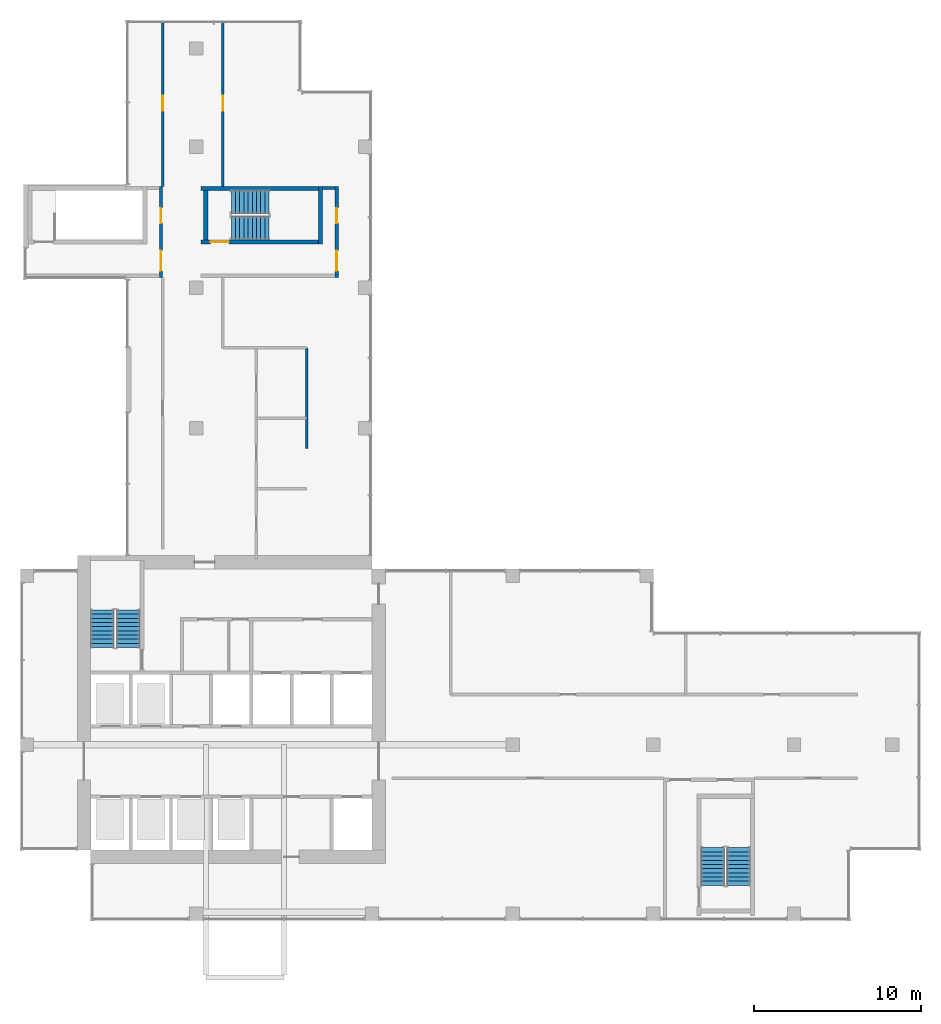
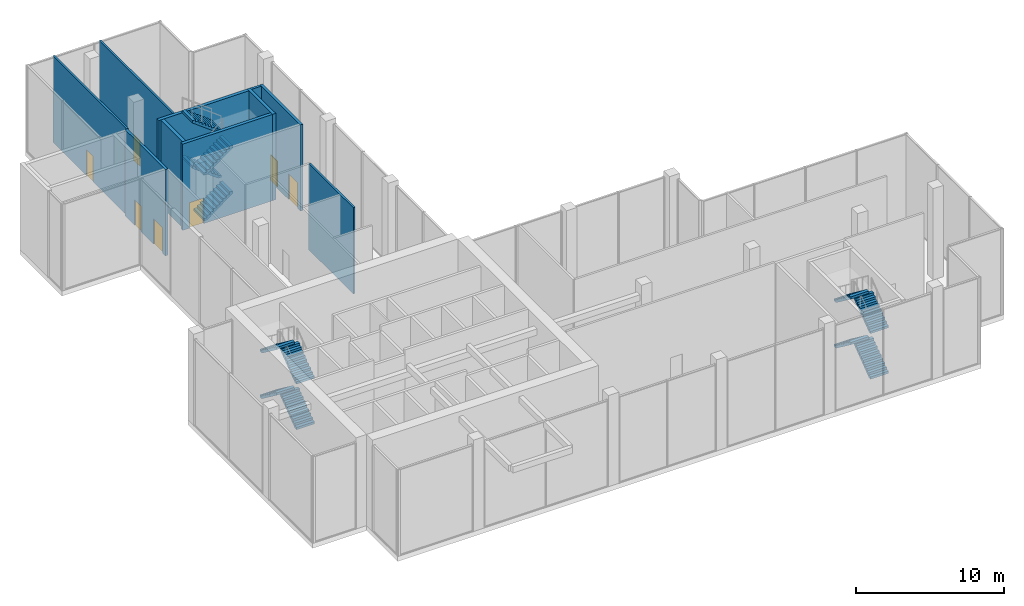
# One storey, part 9 of 13: 12 stair flights, 10 walls, 7 doors, 7 openings, 3 elements without a shape of their own.
"""IFC4 building model written with IfcOpenShell, lengths in metres."""

from ifc_helpers import new_model, si_unit, direction, frame, frame_2d, origin, place, context, subcontext, project, spatial, polyline, rectangle, outline, extrude, source, transform, mapped, material, layer, layer_set, type_object, element, fill, aggregate, save


model = new_model("IFC4")

# Units and contexts
model_context = context("Model", 3, precision=1e-05, world=origin(), true_north=direction((0.0, 1.0)))
body_context = subcontext(model_context, "Body", "Model", "MODEL_VIEW")
ifc_project = project(units=[si_unit("LENGTHUNIT", "METRE"), si_unit("AREAUNIT", "SQUARE_METRE"), si_unit("VOLUMEUNIT", "CUBIC_METRE"), si_unit("PLANEANGLEUNIT", "RADIAN"), si_unit("MASSUNIT", "GRAM", prefix="KILO")], contexts=[model_context])

# Site, building, storey
site_placement = place(None, origin())
site = spatial("IfcSite", under=ifc_project, at=site_placement, CompositionType="ELEMENT")
building_placement = place(site_placement, origin())
building = spatial("IfcBuilding", under=site, at=building_placement, Name="Aurelian Terraces", CompositionType="ELEMENT")
storey_placement = place(building_placement, frame((0.0, 0.0, 277.0)))
storey = spatial("IfcBuildingStorey", under=building, at=storey_placement, Name="L63", CompositionType="ELEMENT", Elevation=277.0)

# Wall, opening, door
ifc_material_1 = material(Name="Concrete fc' 40 MPa", Category="concrete")
ifc_layer_1 = layer(ifc_material_1, 0.25)
ifc_layer_set_1 = layer_set([ifc_layer_1], Name="Stair enclosure wall 250")
wall_type_1 = type_object("IfcWallType", Name="Stair enclosure wall 250", PredefinedType="SOLIDWALL", material=ifc_layer_set_1)
shared_shape_1 = source(origin(), body_context, "Body", "SweptSolid", [
    extrude(rectangle(XDim=7.0, YDim=0.25, at=frame_2d((3.5, 0.0))), origin(), (0.0, 0.0, 1.0), 7.1),
])
wall_1_placement = place(storey_placement, frame((10.8, 40.525, 0.0), z_axis=(0.0, 0.0, 1.0), x_axis=(1.0, 0.0, 0.0)))
wall_1 = element("IfcWall", 1, at=wall_1_placement, inside=storey, type_object=wall_type_1, Name="L63 core wall ST-S3U-W", PredefinedType="SOLIDWALL", context=body_context, shape_type="MappedRepresentation", body=[
    mapped(shared_shape_1, transform((0.0, 0.0, 0.0), scale=1.0)),
])
shared_shape_2 = source(origin(), body_context, "Body", "SweptSolid", [
    extrude(rectangle(XDim=1.1, YDim=2.1, at=frame_2d((0.55, 1.05))), frame((0.0, 0.135, 0.0), z_axis=(0.0, -1.0, 0.0), x_axis=(1.0, 0.0, 0.0)), (0.0, 0.0, 1.0), 0.27),
])
opening_1_placement = place(wall_1_placement, frame((0.55, 0.0, 0.0)))
opening_1 = element("IfcOpeningElement", 2, at=opening_1_placement, cuts=wall_1, Name="Opening 66623", PredefinedType="OPENING", context=body_context, shape_type="MappedRepresentation", body=[
    mapped(shared_shape_2, transform((0.0, 0.0, 0.0), scale=1.0)),
])
ifc_material_2 = material(Name="Steel door leaf", Category="steel")
door_type_1 = type_object("IfcDoorType", Name="Core fire door 1100x2100 right", OperationType="SINGLE_SWING_RIGHT", PredefinedType="DOOR", material=ifc_material_2)
shared_shape_3 = source(origin(), body_context, "Body", "SweptSolid", [
    extrude(rectangle(XDim=1.1, YDim=2.1, at=frame_2d((0.55, 1.05))), frame((0.0, 0.025, 0.0), z_axis=(0.0, -1.0, 0.0), x_axis=(1.0, 0.0, 0.0)), (0.0, 0.0, 1.0), 0.05),
])
door_1_placement = place(opening_1_placement, origin())
door_1 = element("IfcDoor", 3, at=door_1_placement, inside=storey, type_object=door_type_1, Name="Stair door 66623", OperationType="SINGLE_SWING_RIGHT", OverallHeight=2.1, OverallWidth=1.1, PredefinedType="DOOR", context=body_context, shape_type="MappedRepresentation", body=[
    mapped(shared_shape_3, transform((0.0, 0.0, 0.0), scale=1.0)),
])
fill(opening_1, door_1)

# Walls
wall_2_placement = place(storey_placement, frame((10.8, 43.725, 0.0), z_axis=(0.0, 0.0, 1.0), x_axis=(1.0, 0.0, 0.0)))
element("IfcWall", 4, at=wall_2_placement, inside=storey, type_object=wall_type_1, Name="L63 core wall ST-S3U-E", PredefinedType="SOLIDWALL", context=body_context, shape_type="MappedRepresentation", body=[
    mapped(shared_shape_1, transform((0.0, 0.0, 0.0), scale=1.0)),
])
shared_shape_4 = source(origin(), body_context, "Body", "SweptSolid", [
    extrude(rectangle(XDim=3.45, YDim=0.25, at=frame_2d((1.725, 0.0))), origin(), (0.0, 0.0, 1.0), 7.1),
])
wall_3_placement = place(storey_placement, frame((17.925, 40.4, 0.0), z_axis=(0.0, 0.0, 1.0), x_axis=(0.0, 1.0, 0.0)))
element("IfcWall", 5, at=wall_3_placement, inside=storey, type_object=wall_type_1, Name="L63 core wall ST-S3U-N", PredefinedType="SOLIDWALL", context=body_context, shape_type="MappedRepresentation", body=[
    mapped(shared_shape_4, transform((0.0, 0.0, 0.0), scale=1.0)),
])
shared_shape_5 = source(origin(), body_context, "Body", "SweptSolid", [
    extrude(rectangle(XDim=2.95, YDim=0.25, at=frame_2d((1.475, 0.0))), origin(), (0.0, 0.0, 1.0), 7.1),
])
wall_4_placement = place(storey_placement, frame((11.075, 40.65, 0.0), z_axis=(0.0, 0.0, 1.0), x_axis=(0.0, 1.0, 0.0)))
element("IfcWall", 6, at=wall_4_placement, inside=storey, type_object=wall_type_1, Name="L63 core wall ST-S3U-SS", PredefinedType="SOLIDWALL", context=body_context, shape_type="MappedRepresentation", body=[
    mapped(shared_shape_5, transform((0.0, 0.0, 0.0), scale=1.0)),
])

# Wall, openings, doors
ifc_material_3 = material(Name="Gypsum board on steel studs", Category="steel")
ifc_layer_2 = layer(ifc_material_3, 0.2)
ifc_layer_set_2 = layer_set([ifc_layer_2], Name="Core partition 200")
wall_type_2 = type_object("IfcWallType", Name="Core partition 200", PredefinedType="PARTITIONING", material=ifc_layer_set_2)
shared_shape_6 = source(origin(), body_context, "Body", "SweptSolid", [
    extrude(rectangle(XDim=5.45, YDim=0.2, at=frame_2d((2.725, 0.0))), origin(), (0.0, 0.0, 1.0), 7.1),
])
wall_5_placement = place(storey_placement, frame((8.4, 38.4, 0.0), z_axis=(0.0, 0.0, 1.0), x_axis=(0.0, 1.0, 0.0)))
wall_5 = element("IfcWall", 7, at=wall_5_placement, inside=storey, type_object=wall_type_2, Name="L63 core wall ST-S3-BN", PredefinedType="PARTITIONING", context=body_context, shape_type="MappedRepresentation", body=[
    mapped(shared_shape_6, transform((0.0, 0.0, 0.0), scale=1.0)),
])
shared_shape_7 = source(origin(), body_context, "Body", "SweptSolid", [
    extrude(rectangle(XDim=1.2, YDim=2.1, at=frame_2d((0.6, 1.05))), frame((0.0, 0.11, 0.0), z_axis=(0.0, -1.0, 0.0), x_axis=(1.0, 0.0, 0.0)), (0.0, 0.0, 1.0), 0.22),
])
opening_2_placement = place(wall_5_placement, frame((0.4, 0.0, 0.0)))
opening_2 = element("IfcOpeningElement", 8, at=opening_2_placement, cuts=wall_5, Name="Opening 66621", PredefinedType="OPENING", context=body_context, shape_type="MappedRepresentation", body=[
    mapped(shared_shape_7, transform((0.0, 0.0, 0.0), scale=1.0)),
])
shared_shape_8 = source(origin(), body_context, "Body", "SweptSolid", [
    extrude(rectangle(XDim=0.9, YDim=2.1, at=frame_2d((0.45, 1.05))), frame((0.0, 0.11, 0.0), z_axis=(0.0, -1.0, 0.0), x_axis=(1.0, 0.0, 0.0)), (0.0, 0.0, 1.0), 0.22),
])
opening_3_placement = place(wall_5_placement, frame((3.25, 0.0, 0.0)))
opening_3 = element("IfcOpeningElement", 9, at=opening_3_placement, cuts=wall_5, Name="Opening 66622", PredefinedType="OPENING", context=body_context, shape_type="MappedRepresentation", body=[
    mapped(shared_shape_8, transform((0.0, 0.0, 0.0), scale=1.0)),
])
door_type_2 = type_object("IfcDoorType", Name="Core riser door 900x2100", OperationType="SINGLE_SWING_LEFT", PredefinedType="DOOR", material=ifc_material_2)
shared_shape_9 = source(origin(), body_context, "Body", "SweptSolid", [
    extrude(rectangle(XDim=0.9, YDim=2.1, at=frame_2d((0.45, 1.05))), frame((0.0, 0.025, 0.0), z_axis=(0.0, -1.0, 0.0), x_axis=(1.0, 0.0, 0.0)), (0.0, 0.0, 1.0), 0.05),
])
door_2_placement = place(opening_3_placement, origin())
door_2 = element("IfcDoor", 10, at=door_2_placement, inside=storey, type_object=door_type_2, Name="Riser door 66622", OperationType="SINGLE_SWING_LEFT", OverallHeight=2.1, OverallWidth=0.9, PredefinedType="DOOR", context=body_context, shape_type="MappedRepresentation", body=[
    mapped(shared_shape_9, transform((0.0, 0.0, 0.0), scale=1.0)),
])
fill(opening_3, door_2)
door_type_3 = type_object("IfcDoorType", Name="Core fire door 1200x2100 right", OperationType="SINGLE_SWING_RIGHT", PredefinedType="DOOR", material=ifc_material_2)
shared_shape_10 = source(origin(), body_context, "Body", "SweptSolid", [
    extrude(rectangle(XDim=1.2, YDim=2.1, at=frame_2d((0.6, 1.05))), frame((0.0, 0.025, 0.0), z_axis=(0.0, -1.0, 0.0), x_axis=(1.0, 0.0, 0.0)), (0.0, 0.0, 1.0), 0.05),
])
door_3_placement = place(opening_2_placement, origin())
door_3 = element("IfcDoor", 11, at=door_3_placement, inside=storey, type_object=door_type_3, Name="Vestibule door 66621", OperationType="SINGLE_SWING_RIGHT", OverallHeight=2.1, OverallWidth=1.2, PredefinedType="DOOR", context=body_context, shape_type="MappedRepresentation", body=[
    mapped(shared_shape_10, transform((0.0, 0.0, 0.0), scale=1.0)),
])
fill(opening_2, door_3)

wall_6_placement = place(storey_placement, frame((18.9, 38.4, 0.0), z_axis=(0.0, 0.0, 1.0), x_axis=(0.0, 1.0, 0.0)))
wall_6 = element("IfcWall", 12, at=wall_6_placement, inside=storey, type_object=wall_type_2, Name="L63 core wall ST-S3U-BN", PredefinedType="PARTITIONING", context=body_context, shape_type="MappedRepresentation", body=[
    mapped(shared_shape_6, transform((0.0, 0.0, 0.0), scale=1.0)),
])
opening_4_placement = place(wall_6_placement, frame((0.4, 0.0, 0.0)))
opening_4 = element("IfcOpeningElement", 13, at=opening_4_placement, cuts=wall_6, Name="Opening 66624", PredefinedType="OPENING", context=body_context, shape_type="MappedRepresentation", body=[
    mapped(shared_shape_7, transform((0.0, 0.0, 0.0), scale=1.0)),
])
opening_5_placement = place(wall_6_placement, frame((3.25, 0.0, 0.0)))
opening_5 = element("IfcOpeningElement", 14, at=opening_5_placement, cuts=wall_6, Name="Opening 66625", PredefinedType="OPENING", context=body_context, shape_type="MappedRepresentation", body=[
    mapped(shared_shape_8, transform((0.0, 0.0, 0.0), scale=1.0)),
])
door_type_4 = type_object("IfcDoorType", Name="Core riser door 900x2100 right", OperationType="SINGLE_SWING_RIGHT", PredefinedType="DOOR", material=ifc_material_2)
door_4_placement = place(opening_5_placement, origin())
door_4 = element("IfcDoor", 15, at=door_4_placement, inside=storey, type_object=door_type_4, Name="Riser door 66625", OperationType="SINGLE_SWING_RIGHT", OverallHeight=2.1, OverallWidth=0.9, PredefinedType="DOOR", context=body_context, shape_type="MappedRepresentation", body=[
    mapped(shared_shape_9, transform((0.0, 0.0, 0.0), scale=1.0)),
])
fill(opening_5, door_4)
door_type_5 = type_object("IfcDoorType", Name="Core fire door 1200x2100", OperationType="SINGLE_SWING_LEFT", PredefinedType="DOOR", material=ifc_material_2)
door_5_placement = place(opening_4_placement, origin())
door_5 = element("IfcDoor", 16, at=door_5_placement, inside=storey, type_object=door_type_5, Name="Vestibule door 66624", OperationType="SINGLE_SWING_LEFT", OverallHeight=2.1, OverallWidth=1.2, PredefinedType="DOOR", context=body_context, shape_type="MappedRepresentation", body=[
    mapped(shared_shape_10, transform((0.0, 0.0, 0.0), scale=1.0)),
])
fill(opening_4, door_5)

# Wall
shared_shape_11 = source(origin(), body_context, "Body", "SweptSolid", [
    extrude(rectangle(XDim=0.75, YDim=0.2, at=frame_2d((0.375, 0.0))), origin(), (0.0, 0.0, 1.0), 7.1),
])
wall_7_placement = place(storey_placement, frame((18.05, 43.75, 0.0), z_axis=(0.0, 0.0, 1.0), x_axis=(1.0, 0.0, 0.0)))
element("IfcWall", 17, at=wall_7_placement, inside=storey, type_object=wall_type_2, Name="L63 core wall ST-S3U-RE", PredefinedType="PARTITIONING", context=body_context, shape_type="MappedRepresentation", body=[
    mapped(shared_shape_11, transform((0.0, 0.0, 0.0), scale=1.0)),
])

# Wall, opening, door
ifc_layer_3 = layer(ifc_material_3, 0.15)
ifc_layer_set_3 = layer_set([ifc_layer_3], Name="Special partition 150")
wall_type_3 = type_object("IfcWallType", Name="Special partition 150", PredefinedType="PARTITIONING", material=ifc_layer_set_3)
shared_shape_12 = source(origin(), body_context, "Body", "SweptSolid", [
    extrude(rectangle(XDim=9.91, YDim=0.15, at=frame_2d((4.955, 0.0))), origin(), (0.0, 0.0, 1.0), 7.1),
])
wall_8_placement = place(storey_placement, frame((8.5, 43.85, 0.0), z_axis=(0.0, 0.0, 1.0), x_axis=(0.0, 1.0, 0.0)))
wall_8 = element("IfcWall", 18, at=wall_8_placement, inside=storey, type_object=wall_type_3, Name="L63 partition W08", PredefinedType="PARTITIONING", context=body_context, shape_type="MappedRepresentation", body=[
    mapped(shared_shape_12, transform((0.0, 0.0, 0.0), scale=1.0)),
])
shared_shape_13 = source(origin(), body_context, "Body", "SweptSolid", [
    extrude(rectangle(XDim=0.9, YDim=2.1, at=frame_2d((0.45, 1.05))), frame((0.0, 0.085, 0.0), z_axis=(0.0, -1.0, 0.0), x_axis=(1.0, 0.0, 0.0)), (0.0, 0.0, 1.0), 0.17),
])
opening_6_placement = place(wall_8_placement, frame((4.505, 0.0, 0.0)))
opening_6 = element("IfcOpeningElement", 19, at=opening_6_placement, cuts=wall_8, Name="Opening 76606", PredefinedType="OPENING", context=body_context, shape_type="MappedRepresentation", body=[
    mapped(shared_shape_13, transform((0.0, 0.0, 0.0), scale=1.0)),
])
ifc_material_4 = material(Name="Timber door leaf", Category="wood")
door_type_6 = type_object("IfcDoorType", Name="Special door 900x2100 right", OperationType="SINGLE_SWING_RIGHT", PredefinedType="DOOR", material=ifc_material_4)
door_6_placement = place(opening_6_placement, origin())
door_6 = element("IfcDoor", 20, at=door_6_placement, inside=storey, type_object=door_type_6, Name="Door 76606", OperationType="SINGLE_SWING_RIGHT", OverallHeight=2.1, OverallWidth=0.9, PredefinedType="DOOR", context=body_context, shape_type="MappedRepresentation", body=[
    mapped(shared_shape_9, transform((0.0, 0.0, 0.0), scale=1.0)),
])
fill(opening_6, door_6)

wall_9_placement = place(storey_placement, frame((12.1, 43.85, 0.0), z_axis=(0.0, 0.0, 1.0), x_axis=(0.0, 1.0, 0.0)))
wall_9 = element("IfcWall", 21, at=wall_9_placement, inside=storey, type_object=wall_type_3, Name="L63 partition W10", PredefinedType="PARTITIONING", context=body_context, shape_type="MappedRepresentation", body=[
    mapped(shared_shape_12, transform((0.0, 0.0, 0.0), scale=1.0)),
])
opening_7_placement = place(wall_9_placement, frame((4.505, 0.0, 0.0)))
opening_7 = element("IfcOpeningElement", 22, at=opening_7_placement, cuts=wall_9, Name="Opening 76607", PredefinedType="OPENING", context=body_context, shape_type="MappedRepresentation", body=[
    mapped(shared_shape_13, transform((0.0, 0.0, 0.0), scale=1.0)),
])
door_type_7 = type_object("IfcDoorType", Name="Special door 900x2100", OperationType="SINGLE_SWING_LEFT", PredefinedType="DOOR", material=ifc_material_4)
door_7_placement = place(opening_7_placement, origin())
door_7 = element("IfcDoor", 23, at=door_7_placement, inside=storey, type_object=door_type_7, Name="Door 76607", OperationType="SINGLE_SWING_LEFT", OverallHeight=2.1, OverallWidth=0.9, PredefinedType="DOOR", context=body_context, shape_type="MappedRepresentation", body=[
    mapped(shared_shape_9, transform((0.0, 0.0, 0.0), scale=1.0)),
])
fill(opening_7, door_7)

# Wall
shared_shape_14 = source(origin(), body_context, "Body", "SweptSolid", [
    extrude(rectangle(XDim=6.0, YDim=0.15, at=frame_2d((3.0, 0.0))), origin(), (0.0, 0.0, 1.0), 7.1),
])
wall_10_placement = place(storey_placement, frame((17.1, 28.2, 0.0), z_axis=(0.0, 0.0, 1.0), x_axis=(0.0, 1.0, 0.0)))
element("IfcWall", 24, at=wall_10_placement, inside=storey, type_object=wall_type_3, Name="L63 partition W12", PredefinedType="PARTITIONING", context=body_context, shape_type="MappedRepresentation", body=[
    mapped(shared_shape_14, transform((0.0, 0.0, 0.0), scale=1.0)),
])

# Stair, stair flights
stair_type = type_object("IfcStairType", Name="Stair 1400", PredefinedType="HALF_TURN_STAIR", material=ifc_material_1)
stair_1_placement = place(storey_placement, origin())
stair_1 = element("IfcStair", 25, at=stair_1_placement, inside=storey, type_object=stair_type, Name="L63 S1", PredefinedType="HALF_TURN_STAIR")
stair_flight_type = type_object("IfcStairFlightType", Name="Stair flight 1400", PredefinedType="STRAIGHT", material=ifc_material_1)
shared_shape_15 = source(origin(), body_context, "Body", "SweptSolid", [
    extrude(outline(polyline([(0.0, 0.0), (0.0, 0.1875), (0.25, 0.1875), (0.25, 0.375), (0.5, 0.375), (0.5, 0.5625), (0.75, 0.5625), (0.75, 0.75), (1.0, 0.75), (1.0, 0.9375), (1.25, 0.9375), (1.25, 1.125), (1.5, 1.125), (1.5, 1.3125), (1.75, 1.3125), (1.75, 1.5), (2.0, 1.5), (2.0, 1.6875), (2.25, 1.6875), (2.25, 1.875), (2.25, 1.5), (0.25, 0.0), (0.0, 0.0)])), frame((0.0, 0.7, 0.0), z_axis=(0.0, -1.0, 0.0), x_axis=(1.0, 0.0, 0.0)), (0.0, 0.0, 1.0), 1.4),
])
stair_flight_1_placement = place(storey_placement, frame((6.45, 16.3, 2e-08), z_axis=(0.0, 0.0, 1.0), x_axis=(0.0, 1.0, 0.0)))
stair_flight_1 = element("IfcStairFlight", 26, at=stair_flight_1_placement, type_object=stair_flight_type, Name="S1 flight 1", NumberOfRisers=10, NumberOfTreads=9, PredefinedType="STRAIGHT", RiserHeight=0.1875, TreadLength=0.25, context=body_context, shape_type="MappedRepresentation", body=[
    mapped(shared_shape_15, transform((0.0, 0.0, 0.0), scale=1.0)),
])
stair_flight_2_placement = place(storey_placement, frame((4.9, 18.55, 1.87500002), z_axis=(0.0, 0.0, 1.0), x_axis=(0.0, -1.0, 0.0)))
stair_flight_2 = element("IfcStairFlight", 27, at=stair_flight_2_placement, type_object=stair_flight_type, Name="S1 flight 2", NumberOfRisers=10, NumberOfTreads=9, PredefinedType="STRAIGHT", RiserHeight=0.1875, TreadLength=0.25, context=body_context, shape_type="MappedRepresentation", body=[
    mapped(shared_shape_15, transform((0.0, 0.0, 0.0), scale=1.0)),
])
stair_flight_3_placement = place(storey_placement, frame((6.45, 16.3, 3.75000002), z_axis=(0.0, 0.0, 1.0), x_axis=(0.0, 1.0, 0.0)))
stair_flight_3 = element("IfcStairFlight", 28, at=stair_flight_3_placement, type_object=stair_flight_type, Name="S1 flight 3", NumberOfRisers=10, NumberOfTreads=9, PredefinedType="STRAIGHT", RiserHeight=0.1875, TreadLength=0.25, context=body_context, shape_type="MappedRepresentation", body=[
    mapped(shared_shape_15, transform((0.0, 0.0, 0.0), scale=1.0)),
])
stair_flight_4_placement = place(storey_placement, frame((4.9, 18.55, 5.62500002), z_axis=(0.0, 0.0, 1.0), x_axis=(0.0, -1.0, 0.0)))
stair_flight_4 = element("IfcStairFlight", 29, at=stair_flight_4_placement, type_object=stair_flight_type, Name="S1 flight 4", NumberOfRisers=10, NumberOfTreads=9, PredefinedType="STRAIGHT", RiserHeight=0.1875, TreadLength=0.25, context=body_context, shape_type="MappedRepresentation", body=[
    mapped(shared_shape_15, transform((0.0, 0.0, 0.0), scale=1.0)),
])
aggregate(stair_1, [stair_flight_1, stair_flight_2, stair_flight_3, stair_flight_4])

stair_2_placement = place(storey_placement, origin())
stair_2 = element("IfcStair", 30, at=stair_2_placement, inside=storey, type_object=stair_type, Name="L63 S2", PredefinedType="HALF_TURN_STAIR")
stair_flight_5_placement = place(storey_placement, frame((42.9, 2.1, 2e-08), z_axis=(0.0, 0.0, 1.0), x_axis=(0.0, 1.0, 0.0)))
stair_flight_5 = element("IfcStairFlight", 31, at=stair_flight_5_placement, type_object=stair_flight_type, Name="S2 flight 1", NumberOfRisers=10, NumberOfTreads=9, PredefinedType="STRAIGHT", RiserHeight=0.1875, TreadLength=0.25, context=body_context, shape_type="MappedRepresentation", body=[
    mapped(shared_shape_15, transform((0.0, 0.0, 0.0), scale=1.0)),
])
stair_flight_6_placement = place(storey_placement, frame((41.35, 4.35, 1.87500002), z_axis=(0.0, 0.0, 1.0), x_axis=(0.0, -1.0, 0.0)))
stair_flight_6 = element("IfcStairFlight", 32, at=stair_flight_6_placement, type_object=stair_flight_type, Name="S2 flight 2", NumberOfRisers=10, NumberOfTreads=9, PredefinedType="STRAIGHT", RiserHeight=0.1875, TreadLength=0.25, context=body_context, shape_type="MappedRepresentation", body=[
    mapped(shared_shape_15, transform((0.0, 0.0, 0.0), scale=1.0)),
])
stair_flight_7_placement = place(storey_placement, frame((42.9, 2.1, 3.75000002), z_axis=(0.0, 0.0, 1.0), x_axis=(0.0, 1.0, 0.0)))
stair_flight_7 = element("IfcStairFlight", 33, at=stair_flight_7_placement, type_object=stair_flight_type, Name="S2 flight 3", NumberOfRisers=10, NumberOfTreads=9, PredefinedType="STRAIGHT", RiserHeight=0.1875, TreadLength=0.25, context=body_context, shape_type="MappedRepresentation", body=[
    mapped(shared_shape_15, transform((0.0, 0.0, 0.0), scale=1.0)),
])
stair_flight_8_placement = place(storey_placement, frame((41.35, 4.35, 5.62500002), z_axis=(0.0, 0.0, 1.0), x_axis=(0.0, -1.0, 0.0)))
stair_flight_8 = element("IfcStairFlight", 34, at=stair_flight_8_placement, type_object=stair_flight_type, Name="S2 flight 4", NumberOfRisers=10, NumberOfTreads=9, PredefinedType="STRAIGHT", RiserHeight=0.1875, TreadLength=0.25, context=body_context, shape_type="MappedRepresentation", body=[
    mapped(shared_shape_15, transform((0.0, 0.0, 0.0), scale=1.0)),
])
aggregate(stair_2, [stair_flight_5, stair_flight_6, stair_flight_7, stair_flight_8])

stair_3_placement = place(storey_placement, origin())
stair_3 = element("IfcStair", 35, at=stair_3_placement, inside=storey, type_object=stair_type, Name="L63 S3U", PredefinedType="HALF_TURN_STAIR")
stair_flight_9_placement = place(storey_placement, frame((12.6, 41.35, 2e-08), z_axis=(0.0, 0.0, 1.0), x_axis=(1.0, 0.0, 0.0)))
stair_flight_9 = element("IfcStairFlight", 36, at=stair_flight_9_placement, type_object=stair_flight_type, Name="S3U flight 1", NumberOfRisers=10, NumberOfTreads=9, PredefinedType="STRAIGHT", RiserHeight=0.1875, TreadLength=0.25, context=body_context, shape_type="MappedRepresentation", body=[
    mapped(shared_shape_15, transform((0.0, 0.0, 0.0), scale=1.0)),
])
stair_flight_10_placement = place(storey_placement, frame((14.85, 42.9, 1.87500002), z_axis=(0.0, 0.0, 1.0), x_axis=(-1.0, 0.0, 0.0)))
stair_flight_10 = element("IfcStairFlight", 37, at=stair_flight_10_placement, type_object=stair_flight_type, Name="S3U flight 2", NumberOfRisers=10, NumberOfTreads=9, PredefinedType="STRAIGHT", RiserHeight=0.1875, TreadLength=0.25, context=body_context, shape_type="MappedRepresentation", body=[
    mapped(shared_shape_15, transform((0.0, 0.0, 0.0), scale=1.0)),
])
stair_flight_11_placement = place(storey_placement, frame((12.6, 41.35, 3.75000002), z_axis=(0.0, 0.0, 1.0), x_axis=(1.0, 0.0, 0.0)))
stair_flight_11 = element("IfcStairFlight", 38, at=stair_flight_11_placement, type_object=stair_flight_type, Name="S3U flight 3", NumberOfRisers=10, NumberOfTreads=9, PredefinedType="STRAIGHT", RiserHeight=0.1875, TreadLength=0.25, context=body_context, shape_type="MappedRepresentation", body=[
    mapped(shared_shape_15, transform((0.0, 0.0, 0.0), scale=1.0)),
])
stair_flight_12_placement = place(storey_placement, frame((14.85, 42.9, 5.62500002), z_axis=(0.0, 0.0, 1.0), x_axis=(-1.0, 0.0, 0.0)))
stair_flight_12 = element("IfcStairFlight", 39, at=stair_flight_12_placement, type_object=stair_flight_type, Name="S3U flight 4", NumberOfRisers=10, NumberOfTreads=9, PredefinedType="STRAIGHT", RiserHeight=0.1875, TreadLength=0.25, context=body_context, shape_type="MappedRepresentation", body=[
    mapped(shared_shape_15, transform((0.0, 0.0, 0.0), scale=1.0)),
])
aggregate(stair_3, [stair_flight_9, stair_flight_10, stair_flight_11, stair_flight_12])

save(model, "model.ifc")
